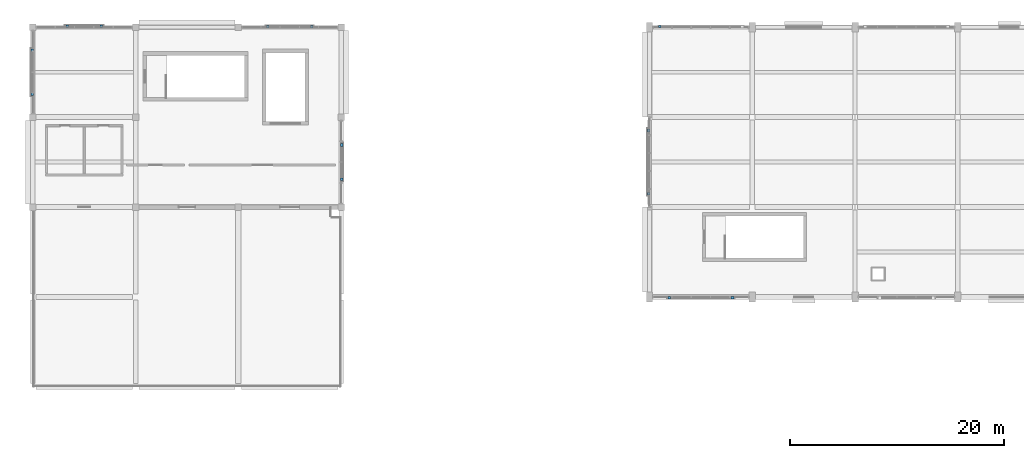
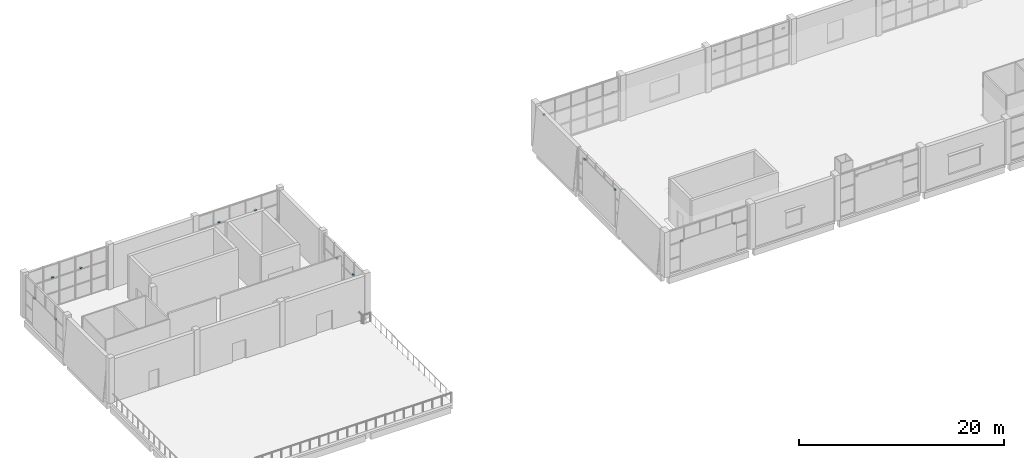
# One storey, part 47 of 57: 13 discrete accessories.
"""IFC4 building model written with IfcOpenShell, lengths in metres."""

import ifcopenshell
import ifcopenshell.guid

model = None  # the IFC model being written
_history = None  # IfcOwnerHistory: only IFC2X3 demands one
_inside = {}  # id of a spatial element -> (the spatial element, [elements in it])
_under = {}  # id of a project, library or spatial element -> (it, [spatial elements below it])
_declared = {}  # id of a project -> (the project, [libraries it declares])
_typed = {}  # id of a type object -> (the type object, [elements of that type])
_made_of = {}  # id of a material, layer set ... -> (it, [elements and type objects made of it])


def new_model(schema):
    """Start an empty IFC model of exactly this schema.

    Asked for "IFC4X3", IfcOpenShell would pick the latest addendum, in which some entities
    have other attributes; the version numbers below select the first issue.
    IFC2X3 requires an IfcOwnerHistory on every rooted entity: one is made here for all.
    """
    global model, _history
    if schema == "IFC4X3":
        model = ifcopenshell.file(schema_version=(4, 3, 0, 0))
    else:
        model = ifcopenshell.file(schema=schema)
    _inside.clear()
    _under.clear()
    _declared.clear()
    _typed.clear()
    _made_of.clear()
    _history = None
    if model.schema == "IFC2X3":
        org = make("IfcOrganization", Name="unknown")
        user = make(
            "IfcPersonAndOrganization",
            ThePerson=make("IfcPerson", FamilyName="unknown"),
            TheOrganization=org,
        )
        app = make(
            "IfcApplication",
            ApplicationDeveloper=org,
            Version="unknown",
            ApplicationFullName="unknown",
            ApplicationIdentifier="unknown",
        )
        _history = make(
            "IfcOwnerHistory",
            OwningUser=user,
            OwningApplication=app,
            ChangeAction="ADDED",
            CreationDate=0,
        )
    return model


def make(cls, **values):
    """One entity of the class cls with the attributes given. An attribute that is None is left unset."""
    return model.create_entity(
        cls, **{name: value for name, value in values.items() if value is not None}
    )


def rooted(cls, **values):
    """An entity with a GlobalId (a new one), such as an element, a storey or a relation."""
    return make(cls, GlobalId=ifcopenshell.guid.new(), OwnerHistory=_history, **values)


def si_unit(unit_type, name, prefix=None):
    """IfcSIUnit, for example si_unit("LENGTHUNIT", "METRE", prefix="MILLI")."""
    return make("IfcSIUnit", UnitType=unit_type, Prefix=prefix, Name=name)


def assignment(units):
    """IfcUnitAssignment: the units of a project."""
    return None if units is None else make("IfcUnitAssignment", Units=units)


def point(xyz):
    """IfcCartesianPoint."""
    return None if xyz is None else make("IfcCartesianPoint", Coordinates=xyz)


def direction(xyz):
    """IfcDirection."""
    return None if xyz is None else make("IfcDirection", DirectionRatios=xyz)


def frame(location, z_axis=None, x_axis=None):
    """IfcAxis2Placement3D, a coordinate frame: its origin and axes. An axis left out is left unset."""
    return make(
        "IfcAxis2Placement3D",
        Location=point(location),
        Axis=direction(z_axis),
        RefDirection=direction(x_axis),
    )


def frame_2d(location, x_axis=None):
    """IfcAxis2Placement2D, a coordinate frame in the plane: its origin and x axis."""
    return make(
        "IfcAxis2Placement2D", Location=point(location), RefDirection=direction(x_axis)
    )


def origin():
    """The frame at (0, 0, 0) with its axes left unset."""
    return frame((0.0, 0.0, 0.0))


def origin_2d():
    """The frame at (0, 0) in the plane with its x axis left unset."""
    return frame_2d((0.0, 0.0))


def place(relative_to, where):
    """IfcLocalPlacement: puts the frame where relative to a parent placement (None: the world)."""
    return make(
        "IfcLocalPlacement", PlacementRelTo=relative_to, RelativePlacement=where
    )


def context(
    kind, dimensions, precision=None, world=None, true_north=None, identifier=None
):
    """IfcGeometricRepresentationContext, for example the 3D "Model" context."""
    return make(
        "IfcGeometricRepresentationContext",
        ContextIdentifier=identifier,
        ContextType=kind,
        CoordinateSpaceDimension=dimensions,
        Precision=precision,
        WorldCoordinateSystem=world,
        TrueNorth=true_north,
    )


def subcontext(parent, identifier, kind, view, scale=None):
    """IfcGeometricRepresentationSubContext, for example "Body" below "Model"."""
    return make(
        "IfcGeometricRepresentationSubContext",
        ContextIdentifier=identifier,
        ContextType=kind,
        ParentContext=parent,
        TargetScale=scale,
        TargetView=view,
    )


def project(units=None, contexts=None):
    """IfcProject with its units and contexts."""
    return rooted(
        "IfcProject",
        Name="project",
        RepresentationContexts=contexts,
        UnitsInContext=assignment(units),
    )


def spatial(cls, under=None, at=None, **own):
    """A site, building, storey or space (cls), placed at a placement, below another one or the project."""
    s = rooted(cls, ObjectPlacement=at, **own)
    if under is not None:
        _under.setdefault(under.id(), (under, []))[1].append(s)
    return s


def profile(cls, at=None, kind="AREA", **sizes):
    """A parametric profile (cls). Its sizes go by their IFC names, for example OverallWidth=200.0."""
    return make(cls, ProfileType=kind, Position=at, **sizes)


def rectangle(**sizes):
    """IfcRectangleProfileDef."""
    return profile("IfcRectangleProfileDef", **sizes)


def extrude(swept, where, along, depth):
    """IfcExtrudedAreaSolid: the profile swept, set in the frame where, extruded along a direction by depth."""
    return make(
        "IfcExtrudedAreaSolid",
        SweptArea=swept,
        Position=where,
        ExtrudedDirection=direction(along),
        Depth=depth,
    )


def shape(context_of_items, identifier, shape_type, items):
    """IfcShapeRepresentation: the items that make up one representation, for example the "Body"."""
    return make(
        "IfcShapeRepresentation",
        ContextOfItems=context_of_items,
        RepresentationIdentifier=identifier,
        RepresentationType=shape_type,
        Items=items,
    )


def material(Name=None, Category=None):
    """IfcMaterial."""
    return make("IfcMaterial", Name=Name, Category=Category)


def made_of(thing, what):
    """Note that an element or type object is made of a material, layer set ...; save() writes the relation."""
    if what is not None:
        _made_of.setdefault(what.id(), (what, []))[1].append(thing)
    return thing


def type_object(cls, material=None, **own):
    """A type object (cls), such as IfcWallType, which elements share."""
    return made_of(rooted(cls, **own), material)


def element(
    cls,
    number,
    at=None,
    inside=None,
    cuts=None,
    type_object=None,
    material=None,
    context=None,
    identifier="Body",
    shape_type=None,
    held_by="IfcProductDefinitionShape",
    body=None,
    shapes=None,
    **own,
):
    """One element of the class cls, such as IfcWall. Its Tag is "e" and its number.

    at: its placement. inside: the storey or other place that contains it. cuts: it is an
    opening in that element (IfcRelVoidsElement). A single representation is given by context,
    identifier, shape_type and body (its items); several are given by shapes. held_by: the class
    of the entity that holds the representations. save() writes the other relations.
    """
    e = rooted(cls, Tag="e%d" % number, ObjectPlacement=at, **own)
    if body is not None:
        shapes = [shape(context, identifier, shape_type, body)]
    if shapes is not None:
        e.Representation = make(held_by, Representations=shapes)
    if inside is not None:
        _inside.setdefault(inside.id(), (inside, []))[1].append(e)
    if cuts is not None:
        rooted(
            "IfcRelVoidsElement", RelatingBuildingElement=cuts, RelatedOpeningElement=e
        )
    if type_object is not None:
        _typed.setdefault(type_object.id(), (type_object, []))[1].append(e)
    return made_of(e, material)


def aggregate(whole, parts):
    """IfcRelAggregates: a whole, such as a stair, and the parts it consists of."""
    return rooted("IfcRelAggregates", RelatingObject=whole, RelatedObjects=parts)


def save(model, path):
    """Write the relations noted so far, then the file.

    IfcRelAggregates (storeys below a building ...), IfcRelContainedInSpatialStructure (elements
    in a storey), IfcRelDefinesByType, IfcRelAssociatesMaterial and IfcRelDeclares: one each for
    every whole, place, type object, material and project.
    """
    for whole, parts in _under.values():
        aggregate(whole, parts)
    for where, things in _inside.values():
        rooted(
            "IfcRelContainedInSpatialStructure",
            RelatedElements=things,
            RelatingStructure=where,
        )
    for kind, things in _typed.values():
        rooted("IfcRelDefinesByType", RelatedObjects=things, RelatingType=kind)
    for what, things in _made_of.values():
        rooted("IfcRelAssociatesMaterial", RelatedObjects=things, RelatingMaterial=what)
    for by, libraries in _declared.values():
        rooted("IfcRelDeclares", RelatingContext=by, RelatedDefinitions=libraries)
    model.write(path)


model = new_model("IFC4")

# Units and contexts
model_context = context("Model", 3, precision=1e-05, world=origin(), true_north=direction((0.0, 1.0)))
body_context = subcontext(model_context, "Body", "Model", "MODEL_VIEW")
ifc_project = project(units=[si_unit("LENGTHUNIT", "METRE"), si_unit("AREAUNIT", "SQUARE_METRE"), si_unit("VOLUMEUNIT", "CUBIC_METRE"), si_unit("PLANEANGLEUNIT", "RADIAN"), si_unit("MASSUNIT", "GRAM", prefix="KILO")], contexts=[model_context])

# Site, building, storey
site_placement = place(None, origin())
site = spatial("IfcSite", under=ifc_project, at=site_placement, CompositionType="ELEMENT")
building_placement = place(site_placement, origin())
building = spatial("IfcBuilding", under=site, at=building_placement, Name="Shalvenor Court Art Gallery", CompositionType="ELEMENT")
storey_placement = place(building_placement, frame((0.0, 0.0, 16.800048828125)))
storey = spatial("IfcBuildingStorey", under=building, at=storey_placement, Name="L03", CompositionType="ELEMENT", Elevation=16.800048828125)

# Discrete accessories
ifc_material = material(Name="Stainless steel anchor bracket", Category="steel")
discrete_accessory_type = type_object("IfcDiscreteAccessoryType", Name="BRK-01", PredefinedType="BRACKET", material=ifc_material)
for number, where, z_axis, x_axis, name in (
    (1, (58.550048828125, 122.4677734375, 3.3701171875), (0.0, 0.0, 1.0), (1.0, 0.0, 0.0), "L03 Lattice Anchor Bracket 133"),
    (2, (65.35009765625, 97.133544921875, 3.3701171875), (0.0, 0.0, 1.0), (-1.0, 0.0, 0.0), "L03 Lattice Anchor Bracket 149"),
    (3, (59.449951171875, 97.133544921875, 3.3701171875), (0.0, 0.0, 1.0), (-1.0, 0.0, 0.0), "L03 Lattice Anchor Bracket 150"),
    (4, (57.528564453125, 106.85009765625, 4.27001953125), (0.0, 0.0, 1.0), (0.0, 1.0, 0.0), "L03 Lattice Anchor Bracket 151"),
    (5, (57.528564453125, 112.75, 4.27001953125), (0.0, 0.0, 1.0), (0.0, 1.0, 0.0), "L03 Lattice Anchor Bracket 152"),
    (6, (3.199951171875, 122.4765625, 3.3701171875), (0.0, 0.0, 1.0), (1.0, 0.0, 0.0), "L03 Lattice Anchor Bracket 309"),
    (7, (6.39990234375, 122.4765625, 3.3701171875), (0.0, 0.0, 1.0), (1.0, 0.0, 0.0), "L03 Lattice Anchor Bracket 310"),
    (8, (21.949951171875, 122.45654296875, 3.3701171875), (0.0, 0.0, 1.0), (1.0, 0.0, 0.0), "L03 Lattice Anchor Bracket 311"),
    (9, (26.050048828125, 122.45654296875, 3.3701171875), (0.0, 0.0, 1.0), (1.0, 0.0, 0.0), "L03 Lattice Anchor Bracket 312"),
    (10, (28.866455078125, 111.39990234375, 3.3701171875), (0.0, 0.0, 1.0), (0.0, -1.0, 0.0), "L03 Lattice Anchor Bracket 313"),
    (11, (28.866455078125, 108.199951171875, 3.3701171875), (0.0, 0.0, 1.0), (0.0, -1.0, 0.0), "L03 Lattice Anchor Bracket 314"),
    (12, (-0.071533203125, 116.14990234375, 3.3701171875), (0.0, 0.0, 1.0), (0.0, 1.0, 0.0), "L03 Lattice Anchor Bracket 315"),
    (13, (-0.071533203125, 120.25, 3.3701171875), (0.0, 0.0, 1.0), (0.0, 1.0, 0.0), "L03 Lattice Anchor Bracket 316"),
):
    element("IfcDiscreteAccessory", number, at=place(storey_placement, frame(where, z_axis=z_axis, x_axis=x_axis)), inside=storey, type_object=discrete_accessory_type, Name=name, PredefinedType="BRACKET", context=body_context, shape_type="SweptSolid", body=[
        extrude(rectangle(XDim=0.239990234375, YDim=0.219970703125, at=origin_2d()), origin(), (0.0, 0.0, 1.0), 0.159912109375),
    ])

save(model, "model.ifc")
